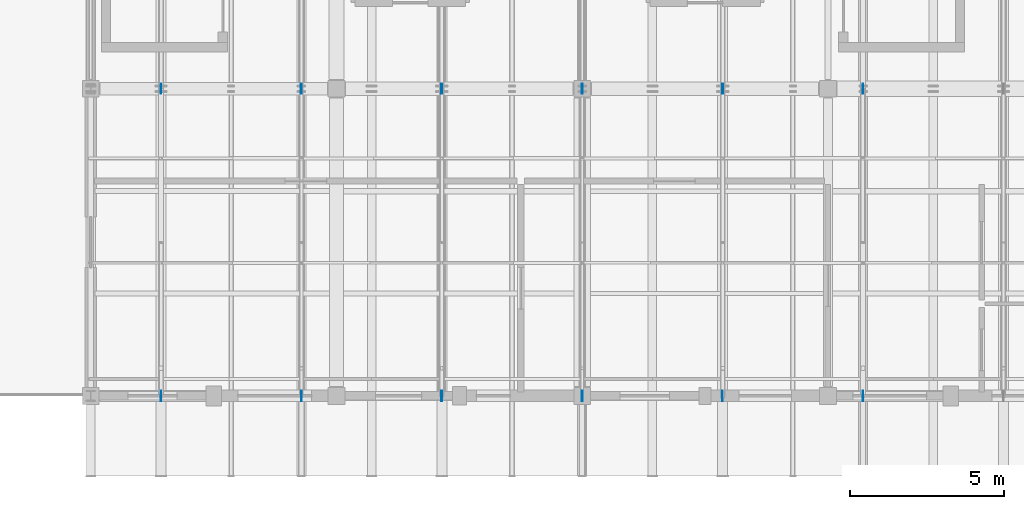
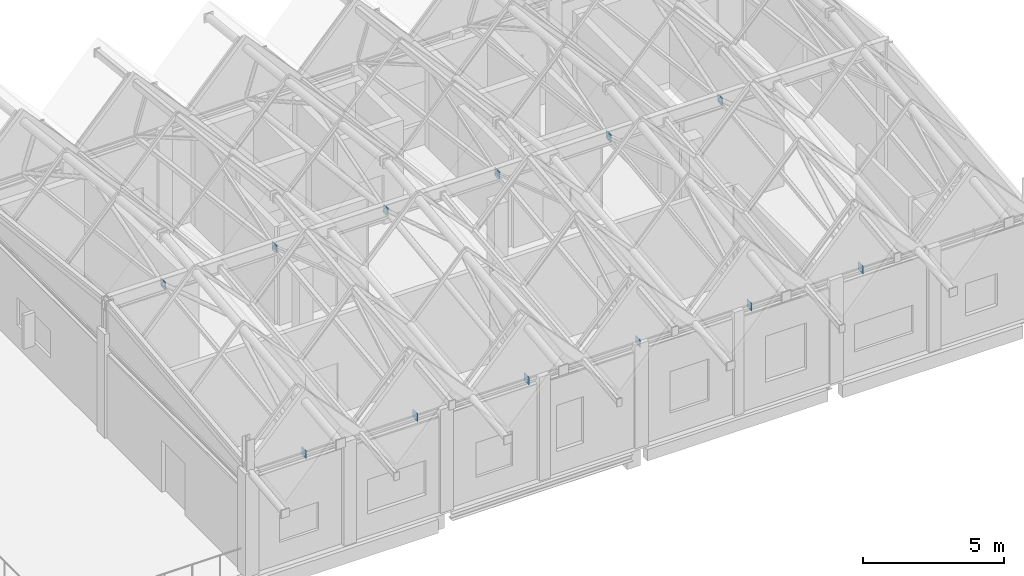
# One storey, part 7 of 15: 12 plates.
"""IFC4 building model written with IfcOpenShell, lengths in metres."""

from ifc_helpers import new_model, si_unit, direction, frame, origin, origin_2d, place, context, subcontext, project, spatial, rectangle, extrude, material, layer, layer_set, type_object, element, save


model = new_model("IFC4")

# Units and contexts
model_context = context("Model", 3, precision=1e-05, world=origin(), true_north=direction((0.0, 1.0)))
body_context = subcontext(model_context, "Body", "Model", "MODEL_VIEW")
ifc_project = project(units=[si_unit("LENGTHUNIT", "METRE"), si_unit("AREAUNIT", "SQUARE_METRE"), si_unit("VOLUMEUNIT", "CUBIC_METRE"), si_unit("PLANEANGLEUNIT", "RADIAN"), si_unit("MASSUNIT", "GRAM", prefix="KILO")], contexts=[model_context])

# Site, building, storey
site_placement = place(None, origin())
site = spatial("IfcSite", under=ifc_project, at=site_placement, CompositionType="ELEMENT")
building_placement = place(site_placement, origin())
building = spatial("IfcBuilding", under=site, at=building_placement, Name="Luwemba Playhouse", CompositionType="ELEMENT")
storey_placement = place(building_placement, frame((0.0, 0.0, 22.800048828125)))
storey = spatial("IfcBuildingStorey", under=building, at=storey_placement, Name="L05", CompositionType="ELEMENT", Elevation=22.800048828125)

# Plates
ifc_material = material(Name="Steel S355", Category="steel")
ifc_layer_1 = layer(ifc_material, 0.02001953125)
ifc_layer_set_1 = layer_set([ifc_layer_1], Name="Steel S355")
plate_type_1 = type_object("IfcPlateType", Name="PLT-GP2", PredefinedType="USERDEFINED", material=ifc_layer_set_1)
for number, where, z_axis, x_axis, name in (
    (1, (142.28564453125, 95.0, 4.22998046875), (0.0, 0.0, 1.0), (1.0, 0.0, 0.0), "Truss node gusset cap plate 0175"),
    (2, (146.857177734375, 95.0, 4.22998046875), (0.0, 0.0, 1.0), (1.0, 0.0, 0.0), "Truss node gusset cap plate 0178"),
    (3, (151.4287109375, 95.0, 4.22998046875), (0.0, 0.0, 1.0), (1.0, 0.0, 0.0), "Truss node gusset cap plate 0181"),
    (4, (156.0, 95.0, 4.22998046875), (0.0, 0.0, 1.0), (1.0, 0.0, 0.0), "Truss node gusset cap plate 0184"),
    (5, (160.5712890625, 95.0, 4.22998046875), (0.0, 0.0, 1.0), (1.0, 0.0, 0.0), "Truss node gusset cap plate 0187"),
    (6, (165.142822265625, 95.0, 4.22998046875), (0.0, 0.0, 1.0), (1.0, 0.0, 0.0), "Truss node gusset cap plate 0190"),
):
    element("IfcPlate", number, at=place(storey_placement, frame(where, z_axis=z_axis, x_axis=x_axis)), inside=storey, type_object=plate_type_1, Name=name, ObjectType="GUSSET PLATE", PredefinedType="USERDEFINED", context=body_context, shape_type="SweptSolid", body=[
        extrude(rectangle(XDim=0.02001953125, YDim=0.340087890625, at=origin_2d()), origin(), (0.0, 0.0, 1.0), 0.340087890625),
    ])
ifc_layer_2 = layer(ifc_material, 0.02490234375)
ifc_layer_set_2 = layer_set([ifc_layer_2], Name="Steel S355")
plate_type_2 = type_object("IfcPlateType", Name="PLT-GP3", PredefinedType="USERDEFINED", material=ifc_layer_set_2)
for number, where, z_axis, x_axis, name in (
    (7, (142.28564453125, 105.0, 5.4716796875), (0.0, 0.0, 1.0), (1.0, 0.0, 0.0), "Truss node gusset cap plate 0176"),
    (8, (146.857177734375, 105.0, 5.4716796875), (0.0, 0.0, 1.0), (1.0, 0.0, 0.0), "Truss node gusset cap plate 0179"),
    (9, (151.4287109375, 105.0, 5.4716796875), (0.0, 0.0, 1.0), (1.0, 0.0, 0.0), "Truss node gusset cap plate 0182"),
    (10, (156.0, 105.0, 5.4716796875), (0.0, 0.0, 1.0), (1.0, 0.0, 0.0), "Truss node gusset cap plate 0185"),
    (11, (160.5712890625, 105.0, 5.4716796875), (0.0, 0.0, 1.0), (1.0, 0.0, 0.0), "Truss node gusset cap plate 0188"),
    (12, (165.142822265625, 105.0, 5.4716796875), (0.0, 0.0, 1.0), (1.0, 0.0, 0.0), "Truss node gusset cap plate 0191"),
):
    element("IfcPlate", number, at=place(storey_placement, frame(where, z_axis=z_axis, x_axis=x_axis)), inside=storey, type_object=plate_type_2, Name=name, ObjectType="GUSSET PLATE", PredefinedType="USERDEFINED", context=body_context, shape_type="SweptSolid", body=[
        extrude(rectangle(XDim=0.02490234375, YDim=0.340087890625, at=origin_2d()), origin(), (0.0, 0.0, 1.0), 0.340087890625),
    ])

save(model, "model.ifc")
